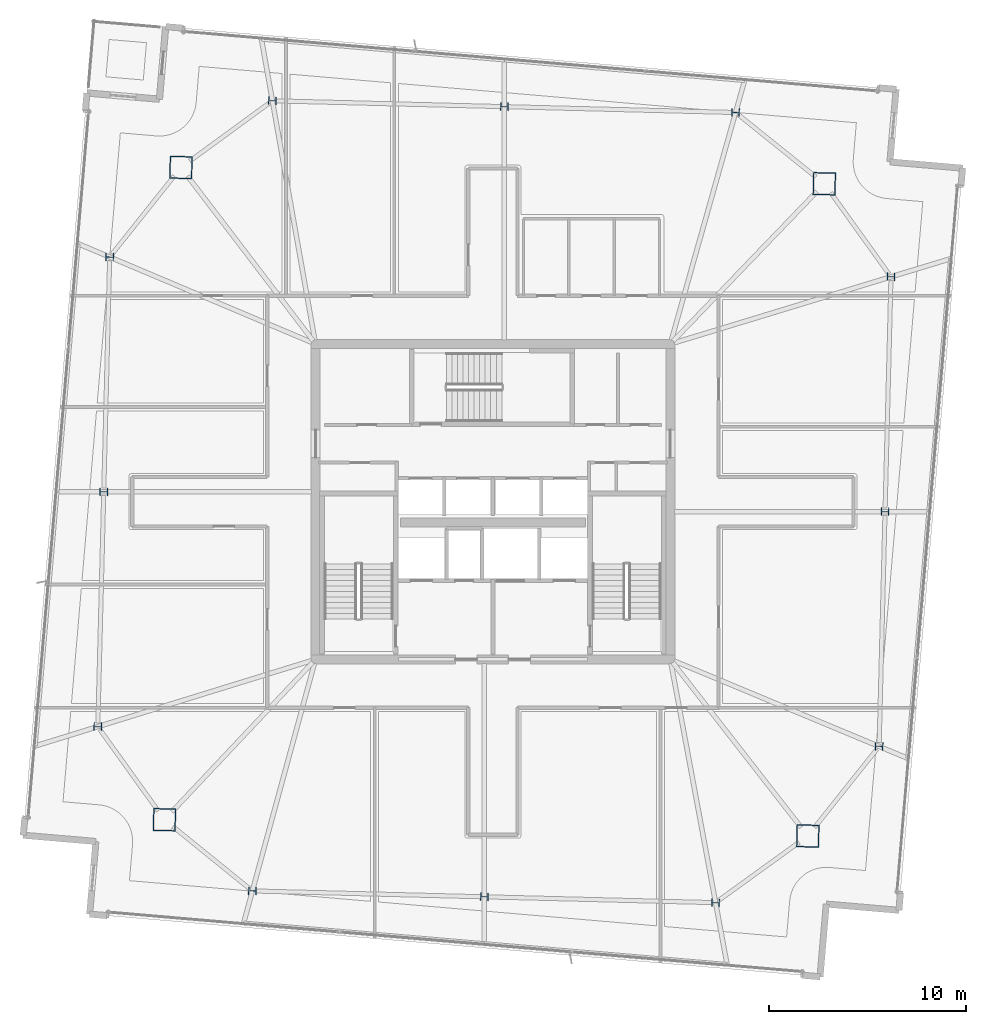
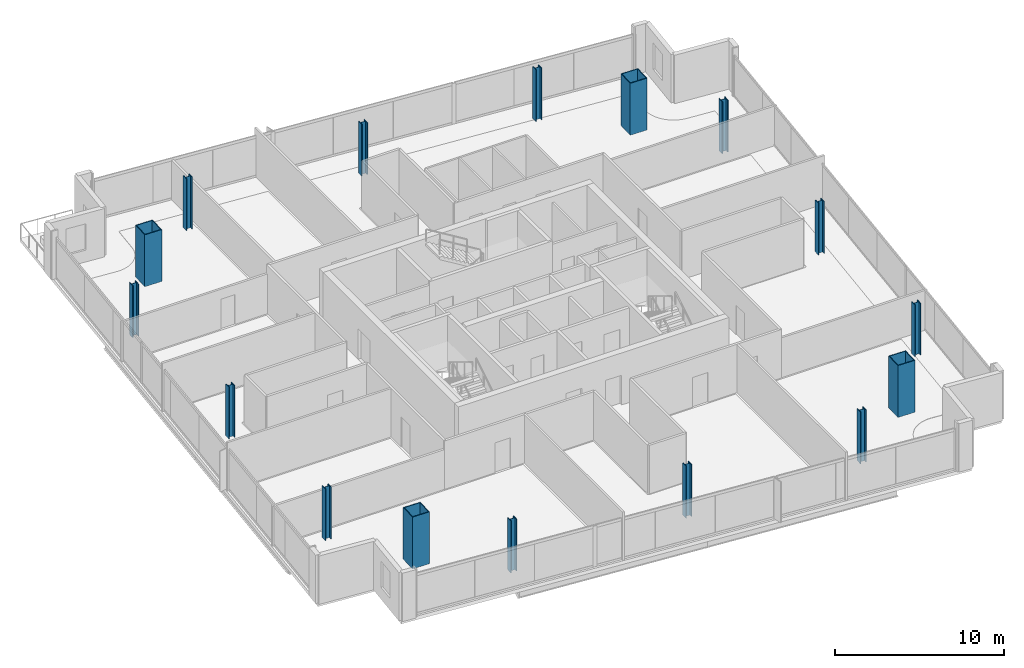
# One storey, part 1 of 24: 16 columns.
"""IFC4 building model written with IfcOpenShell, lengths in metres."""

from ifc_helpers import new_model, si_unit, direction, frame, origin, origin_2d, place, context, subcontext, project, spatial, hollow_rectangle, i_section, extrude, material, material_profile, profile_set, type_object, element, save


model = new_model("IFC4")

# Units and contexts
model_context = context("Model", 3, precision=1e-05, world=origin(), true_north=direction((0.0, 1.0)))
body_context = subcontext(model_context, "Body", "Model", "MODEL_VIEW")
ifc_project = project(units=[si_unit("LENGTHUNIT", "METRE"), si_unit("AREAUNIT", "SQUARE_METRE"), si_unit("VOLUMEUNIT", "CUBIC_METRE"), si_unit("PLANEANGLEUNIT", "RADIAN"), si_unit("MASSUNIT", "GRAM", prefix="KILO")], contexts=[model_context])

# Site, building, storey
site_placement = place(None, origin())
site = spatial("IfcSite", under=ifc_project, at=site_placement, CompositionType="ELEMENT")
building_placement = place(site_placement, origin())
building = spatial("IfcBuilding", under=site, at=building_placement, Name="Haldenkirk Collegiate Tower", CompositionType="ELEMENT")
storey_placement = place(building_placement, frame((0.0, 0.0, 313.949951171875)))
storey = spatial("IfcBuildingStorey", under=building, at=storey_placement, Name="L79", CompositionType="ELEMENT", Elevation=313.949951171875)

# Columns
ifc_material_1 = material(Name="Steel ASTM A913 Grade 65", Category="steel")
ifc_material_profile_1 = material_profile(ifc_material_1, i_section(OverallWidth=0.406005859375, OverallDepth=0.416015625, WebThickness=0.02978515625, FlangeThickness=0.048095703125, at=origin_2d()), Name="W14X257")
ifc_profile_set_1 = profile_set([ifc_material_profile_1], Name="Steel ASTM A913 Grade 65")
column_type_1 = type_object("IfcColumnType", Name="COL-INT-W14X257", PredefinedType="COLUMN", material=ifc_profile_set_1)
for number, where, z_axis, x_axis, name in (
    (1, (55.592041015625, 13.584228515625, 0.0), (0.0, 0.0, 1.0), (0.025304572866, 0.999679788028, 0.0), "L79 perimeter gravity column PC-S1"),
    (2, (55.8935546875, 25.496337890625, 0.0), (0.0, 0.0, 1.0), (0.025304572866, 0.999679788028, 0.0), "L79 perimeter gravity column PC-S2"),
    (3, (56.1953125, 37.40869140625, 0.0), (0.0, 0.0, 1.0), (0.025304572866, 0.999679788028, 0.0), "L79 perimeter gravity column PC-S3"),
    (4, (48.3115234375, 45.744873046875, 0.0), (0.0, 0.0, 1.0), (0.025304572866, 0.999679788028, 0.0), "L79 perimeter gravity column PC-E1"),
    (5, (36.582275390625, 46.041748046875, 0.0), (0.0, 0.0, 1.0), (0.025304572866, 0.999679788028, 0.0), "L79 perimeter gravity column PC-E2"),
    (6, (24.81103515625, 46.339599609375, 0.0), (0.0, 0.0, 1.0), (0.025304572866, 0.999679788028, 0.0), "L79 perimeter gravity column PC-E3"),
    (7, (16.557861328125, 38.411865234375, 0.0), (0.0, 0.0, 1.0), (0.025304572866, 0.999679788028, 0.0), "L79 perimeter gravity column PC-N1"),
    (8, (16.25634765625, 26.499755859375, 0.0), (0.0, 0.0, 1.0), (0.025304572866, 0.999679788028, 0.0), "L79 perimeter gravity column PC-N2"),
    (9, (15.954833984375, 14.587646484375, 0.0), (0.0, 0.0, 1.0), (0.025304572866, 0.999679788028, 0.0), "L79 perimeter gravity column PC-N3"),
    (10, (23.79638671875, 6.25244140625, 0.0), (0.0, 0.0, 1.0), (0.025304572866, 0.999679788028, 0.0), "L79 perimeter gravity column PC-W1"),
    (11, (35.567626953125, 5.95458984375, 0.0), (0.0, 0.0, 1.0), (0.025304572866, 0.999679788028, 0.0), "L79 perimeter gravity column PC-W2"),
    (12, (47.296875, 5.65771484375, 0.0), (0.0, 0.0, 1.0), (0.025304572866, 0.999679788028, 0.0), "L79 perimeter gravity column PC-W3"),
):
    element("IfcColumn", number, at=place(storey_placement, frame(where, z_axis=z_axis, x_axis=x_axis)), inside=storey, type_object=column_type_1, Name=name, PredefinedType="COLUMN", context=body_context, shape_type="SweptSolid", body=[
        extrude(i_section(OverallWidth=0.406005859375, OverallDepth=0.416015625, WebThickness=0.02978515625, FlangeThickness=0.048095703125, at=origin_2d()), origin(), (0.0, 0.0, 1.0), 3.75),
    ])
ifc_material_2 = material(Name="Steel ASTM A572 Grade 50", Category="steel")
ifc_material_profile_2 = material_profile(ifc_material_2, hollow_rectangle(XDim=1.14990234375, YDim=1.14990234375, WallThickness=0.050048828125, at=origin_2d()), Name="BOX1150X1150X50")
ifc_profile_set_2 = profile_set([ifc_material_profile_2], Name="Steel ASTM A572 Grade 50")
column_type_2 = type_object("IfcColumnType", Name="COL-MEGA-BOX1150X1150X50", PredefinedType="COLUMN", material=ifc_profile_set_2)
for number, where, z_axis, x_axis, name in (
    (13, (51.97607421875, 9.040283203125, 0.0), (0.0, 0.0, 1.0), (0.025304572866, 0.999679788028, 0.0), "L79 corner mega-column MC1"),
    (14, (52.8134765625, 42.129638671875, 0.0), (0.0, 0.0, 1.0), (0.025304572866, 0.999679788028, 0.0), "L79 corner mega-column MC2"),
    (15, (20.174072265625, 42.955810546875, 0.0), (0.0, 0.0, 1.0), (0.025304572866, 0.999679788028, 0.0), "L79 corner mega-column MC3"),
    (16, (19.33642578125, 9.866455078125, 0.0), (0.0, 0.0, 1.0), (0.025304572866, 0.999679788028, 0.0), "L79 corner mega-column MC4"),
):
    element("IfcColumn", number, at=place(storey_placement, frame(where, z_axis=z_axis, x_axis=x_axis)), inside=storey, type_object=column_type_2, Name=name, PredefinedType="COLUMN", context=body_context, shape_type="SweptSolid", body=[
        extrude(hollow_rectangle(XDim=1.14990234375, YDim=1.14990234375, WallThickness=0.050048828125, at=origin_2d()), origin(), (0.0, 0.0, 1.0), 3.75),
    ])

save(model, "model.ifc")
